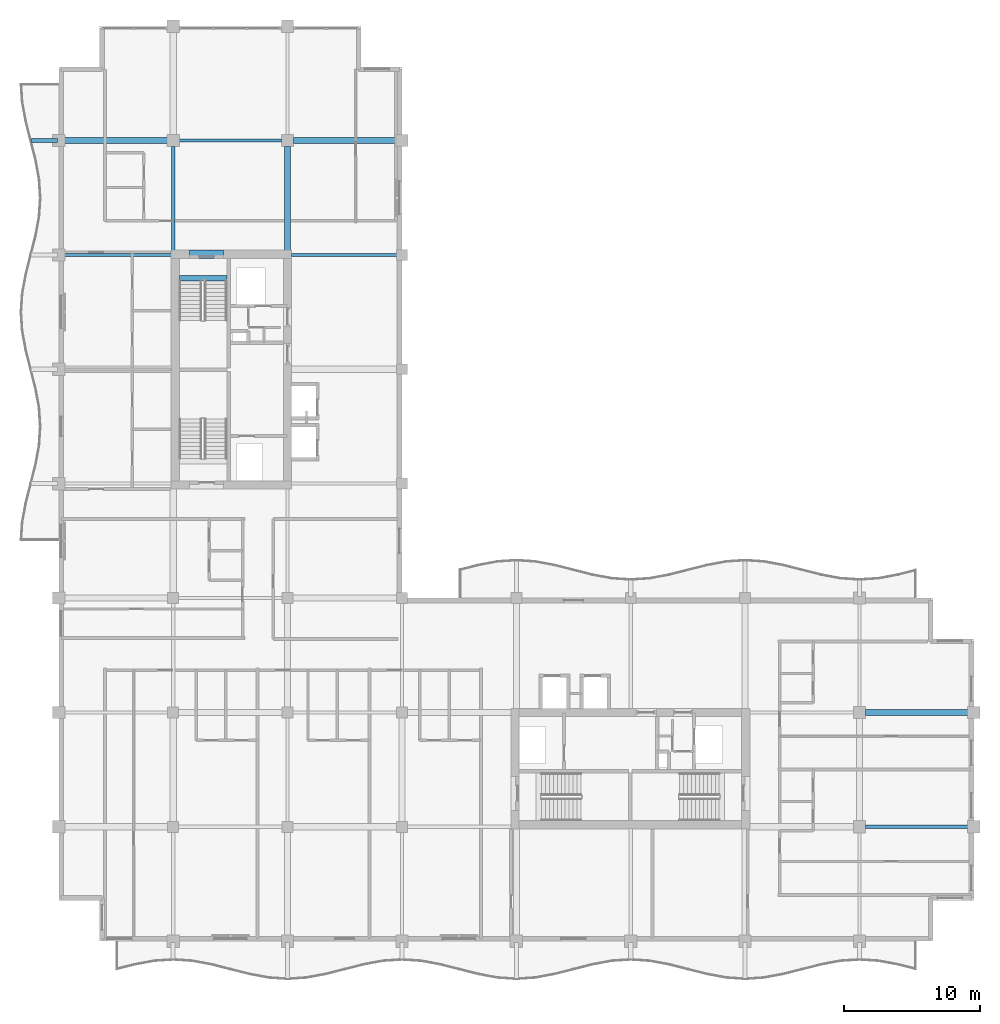
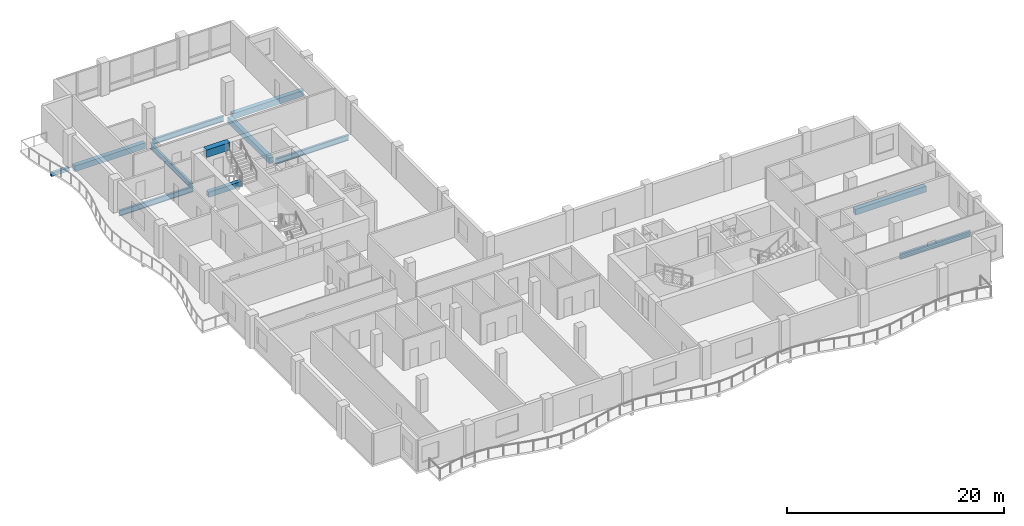
# One storey, part 2 of 16: 12 beams.
"""IFC4 building model written with IfcOpenShell, lengths in metres."""

from ifc_helpers import new_model, si_unit, direction, frame, origin, origin_2d, place, context, subcontext, project, spatial, rectangle, i_section, extrude, material, material_profile, profile_set, type_object, element, save


model = new_model("IFC4")

# Units and contexts
model_context = context("Model", 3, precision=1e-05, world=origin(), true_north=direction((0.0, 1.0)))
body_context = subcontext(model_context, "Body", "Model", "MODEL_VIEW")
ifc_project = project(units=[si_unit("LENGTHUNIT", "METRE"), si_unit("AREAUNIT", "SQUARE_METRE"), si_unit("VOLUMEUNIT", "CUBIC_METRE"), si_unit("PLANEANGLEUNIT", "RADIAN"), si_unit("MASSUNIT", "GRAM", prefix="KILO")], contexts=[model_context])

# Site, building, storey
site_placement = place(None, origin())
site = spatial("IfcSite", under=ifc_project, at=site_placement, CompositionType="ELEMENT")
building_placement = place(site_placement, origin())
building = spatial("IfcBuilding", under=site, at=building_placement, Name="Koriwani Terraces Tower", CompositionType="ELEMENT")
storey_placement = place(building_placement, frame((0.0, 0.0, 252.699951171875)))
storey = spatial("IfcBuildingStorey", under=building, at=storey_placement, Name="L62", CompositionType="ELEMENT", Elevation=252.699951171875)

# Beams
ifc_material_1 = material(Name="Concrete C40/50", Category="concrete")
ifc_material_profile_1 = material_profile(ifc_material_1, rectangle(XDim=0.300048828125, YDim=0.39990234375, at=origin_2d()), Name="Concrete C40/50", Category="LoadBearing")
ifc_profile_set_1 = profile_set([ifc_material_profile_1], Name="Concrete C40/50")
beam_type_1 = type_object("IfcBeamType", Name="BEAM_RC_BALCONY_RIB_300X400", PredefinedType="JOIST", material=ifc_profile_set_1)
beam_1_placement = place(storey_placement, frame((6.409912109375, 67.199951171875, -0.429931640625), z_axis=(1.0, 0.0, 0.0), x_axis=(0.0, 1.0, 0.0)))
element("IfcBeam", 1, at=beam_1_placement, inside=storey, type_object=beam_type_1, Name="L62 Balcony Bracket Rib W-4", PredefinedType="JOIST", context=body_context, shape_type="SweptSolid", body=[
    extrude(rectangle(XDim=0.300048828125, YDim=0.39990234375, at=origin_2d()), origin(), (0.0, 0.0, 1.0), 1.89013671875),
])
ifc_material_2 = material(Name="Concrete C50/60", Category="concrete")
ifc_material_profile_2 = material_profile(ifc_material_2, rectangle(XDim=0.60009765625, YDim=0.85009765625, at=origin_2d()), Name="Concrete C50/60", Category="LoadBearing")
ifc_profile_set_2 = profile_set([ifc_material_profile_2], Name="Concrete C50/60")
beam_type_2 = type_object("IfcBeamType", Name="BEAM_RC_COUPLING_600X850", PredefinedType="LINTEL", material=ifc_profile_set_2)
beam_2_placement = place(storey_placement, frame((18.0, 58.85009765625, 3.045166015625), z_axis=(1.0, 0.0, 0.0), x_axis=(0.0, 1.0, 0.0)))
element("IfcBeam", 2, at=beam_2_placement, inside=storey, type_object=beam_type_2, Name="L62 Core Coupling Lintel Beam WN", PredefinedType="LINTEL", context=body_context, shape_type="SweptSolid", body=[
    extrude(rectangle(XDim=0.60009765625, YDim=0.85009765625, at=origin_2d()), origin(), (0.0, 0.0, 1.0), 2.5),
])
ifc_material_profile_3 = material_profile(ifc_material_1, rectangle(XDim=0.39990234375, YDim=0.60009765625, at=origin_2d()), Name="Concrete C40/50", Category="LoadBearing")
ifc_profile_set_3 = profile_set([ifc_material_profile_3], Name="Concrete C40/50")
beam_type_3 = type_object("IfcBeamType", Name="BEAM_RC_GRID_400X600", PredefinedType="BEAM", material=ifc_profile_set_3)
beam_3_placement = place(storey_placement, frame((17.25, 57.094970703125, -0.300048828125), z_axis=(1.0, 0.0, 0.0), x_axis=(0.0, 1.0, 0.0)))
element("IfcBeam", 3, at=beam_3_placement, inside=storey, type_object=beam_type_3, Name="L62 Stairwell Header Trimmer Beam ST-W2", PredefinedType="BEAM", context=body_context, shape_type="SweptSolid", body=[
    extrude(rectangle(XDim=0.39990234375, YDim=0.60009765625, at=origin_2d()), origin(), (0.0, 0.0, 1.0), 3.5),
])
ifc_material_profile_4 = material_profile(ifc_material_2, rectangle(XDim=0.449951171875, YDim=0.64990234375, at=origin_2d()), Name="Concrete C50/60", Category="LoadBearing")
ifc_profile_set_4 = profile_set([ifc_material_profile_4], Name="Concrete C50/60")
beam_type_4 = type_object("IfcBeamType", Name="BEAM_RC_GRID_450X650", PredefinedType="BEAM", material=ifc_profile_set_4)
for number, where, z_axis, x_axis, name in (
    (4, (67.6298828125, 25.199951171875, -0.554931640625), (1.0, 0.0, 0.0), (0.0, 1.0, 0.0), "L62 Grid Beam D (67.2-75.6m)"),
    (5, (8.830078125, 67.199951171875, -0.554931640625), (1.0, 0.0, 0.0), (0.0, 1.0, 0.0), "L62 Grid Beam I (8.4-16.8m)"),
    (6, (25.6298828125, 67.199951171875, -0.554931640625), (1.0, 0.0, 0.0), (0.0, 1.0, 0.0), "L62 Grid Beam I (25.2-33.6m)"),
):
    element("IfcBeam", number, at=place(storey_placement, frame(where, z_axis=z_axis, x_axis=x_axis)), inside=storey, type_object=beam_type_4, Name=name, PredefinedType="BEAM", context=body_context, shape_type="SweptSolid", body=[
        extrude(rectangle(XDim=0.449951171875, YDim=0.64990234375, at=origin_2d()), origin(), (0.0, 0.0, 1.0), 7.5400390625),
    ])
beam_4_placement = place(storey_placement, frame((25.199951171875, 59.1298828125, -0.554931640625), z_axis=(0.0, 1.0, 0.0), x_axis=(-1.0, 0.0, 0.0)))
element("IfcBeam", 7, at=beam_4_placement, inside=storey, type_object=beam_type_4, Name="L62 Grid Beam 4 (58.8-67.2m)", PredefinedType="BEAM", context=body_context, shape_type="SweptSolid", body=[
    extrude(rectangle(XDim=0.449951171875, YDim=0.64990234375, at=origin_2d()), origin(), (0.0, 0.0, 1.0), 7.64013671875),
])
ifc_material_3 = material(Name="Steel ASTM A572 Grade 50", Category="steel")
ifc_material_profile_5 = material_profile(ifc_material_3, i_section(OverallWidth=0.23095703125, OverallDepth=0.616943359375, WebThickness=0.015380859375, FlangeThickness=0.0244140625, at=origin_2d()), Name="Steel ASTM A572 Grade 50", Category="LoadBearing")
ifc_profile_set_5 = profile_set([ifc_material_profile_5], Name="Steel ASTM A572 Grade 50")
beam_type_5 = type_object("IfcBeamType", Name="STEEL_BEAM_W610X195", PredefinedType="BEAM", material=ifc_profile_set_5)
beam_5_placement = place(storey_placement, frame((67.6298828125, 16.800048828125, -0.538330078125), z_axis=(1.0, 0.0, 0.0), x_axis=(0.0, 1.0, 0.0)))
element("IfcBeam", 8, at=beam_5_placement, inside=storey, type_object=beam_type_5, Name="L62 Grid Beam C (67.2-75.6m)", PredefinedType="BEAM", context=body_context, shape_type="SweptSolid", body=[
    extrude(i_section(OverallWidth=0.23095703125, OverallDepth=0.616943359375, WebThickness=0.015380859375, FlangeThickness=0.0244140625, at=origin_2d()), origin(), (0.0, 0.0, 1.0), 7.5400390625),
])
beam_6_placement = place(storey_placement, frame((8.830078125, 58.800048828125, -0.538330078125), z_axis=(1.0, 0.0, 0.0), x_axis=(0.0, 1.0, 0.0)))
element("IfcBeam", 9, at=beam_6_placement, inside=storey, type_object=beam_type_5, Name="L62 Grid Beam H (8.4-16.8m)", PredefinedType="BEAM", context=body_context, shape_type="SweptSolid", body=[
    extrude(i_section(OverallWidth=0.23095703125, OverallDepth=0.616943359375, WebThickness=0.015380859375, FlangeThickness=0.0244140625, at=origin_2d()), origin(), (0.0, 0.0, 1.0), 7.83984375),
])
beam_7_placement = place(storey_placement, frame((25.47998046875, 58.800048828125, -0.538330078125), z_axis=(1.0, 0.0, 0.0), x_axis=(0.0, 1.0, 0.0)))
element("IfcBeam", 10, at=beam_7_placement, inside=storey, type_object=beam_type_5, Name="L62 Grid Beam H (25.2-33.6m)", PredefinedType="BEAM", context=body_context, shape_type="SweptSolid", body=[
    extrude(i_section(OverallWidth=0.23095703125, OverallDepth=0.616943359375, WebThickness=0.015380859375, FlangeThickness=0.0244140625, at=origin_2d()), origin(), (0.0, 0.0, 1.0), 7.739990234375),
])
beam_8_placement = place(storey_placement, frame((17.22998046875, 67.199951171875, -0.538330078125), z_axis=(1.0, 0.0, 0.0), x_axis=(0.0, 1.0, 0.0)))
element("IfcBeam", 11, at=beam_8_placement, inside=storey, type_object=beam_type_5, Name="L62 Grid Beam I (16.8-25.2m)", PredefinedType="BEAM", context=body_context, shape_type="SweptSolid", body=[
    extrude(i_section(OverallWidth=0.23095703125, OverallDepth=0.616943359375, WebThickness=0.015380859375, FlangeThickness=0.0244140625, at=origin_2d()), origin(), (0.0, 0.0, 1.0), 7.5400390625),
])
beam_9_placement = place(storey_placement, frame((16.800048828125, 59.1298828125, -0.538330078125), z_axis=(0.0, 1.0, 0.0), x_axis=(-1.0, 0.0, 0.0)))
element("IfcBeam", 12, at=beam_9_placement, inside=storey, type_object=beam_type_5, Name="L62 Grid Beam 3 (58.8-67.2m)", PredefinedType="BEAM", context=body_context, shape_type="SweptSolid", body=[
    extrude(i_section(OverallWidth=0.23095703125, OverallDepth=0.616943359375, WebThickness=0.015380859375, FlangeThickness=0.0244140625, at=origin_2d()), origin(), (0.0, 0.0, 1.0), 7.64013671875),
])

save(model, "model.ifc")
